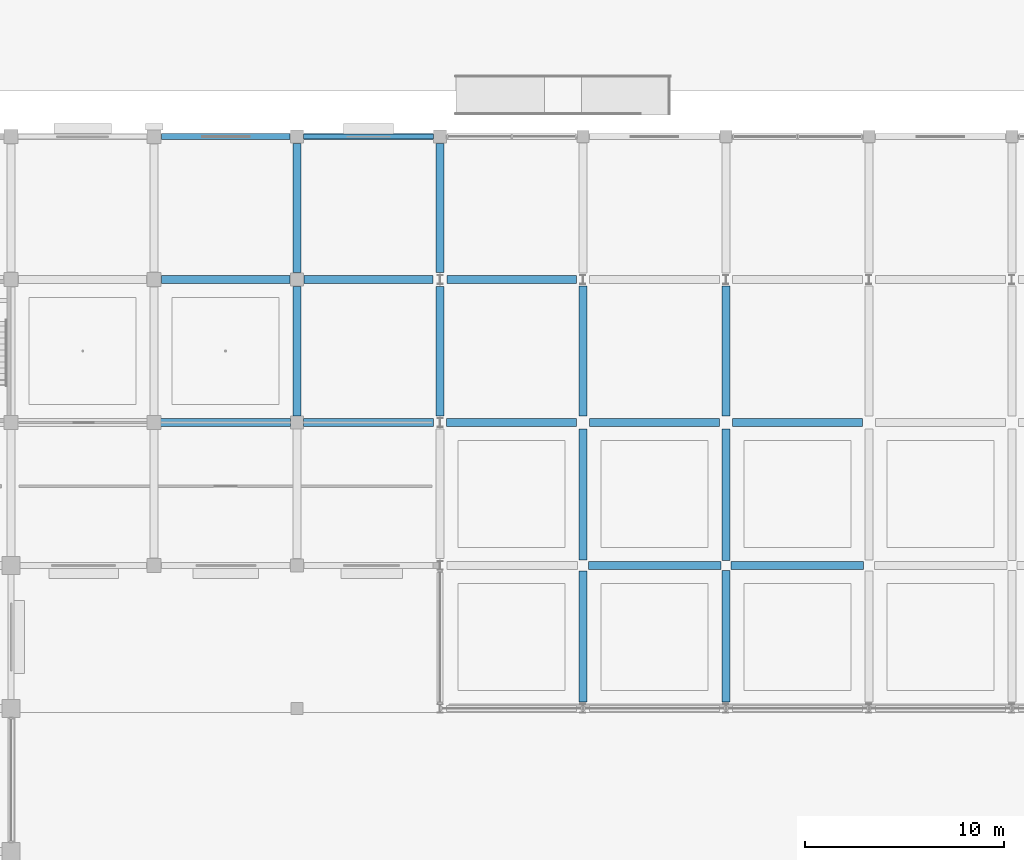
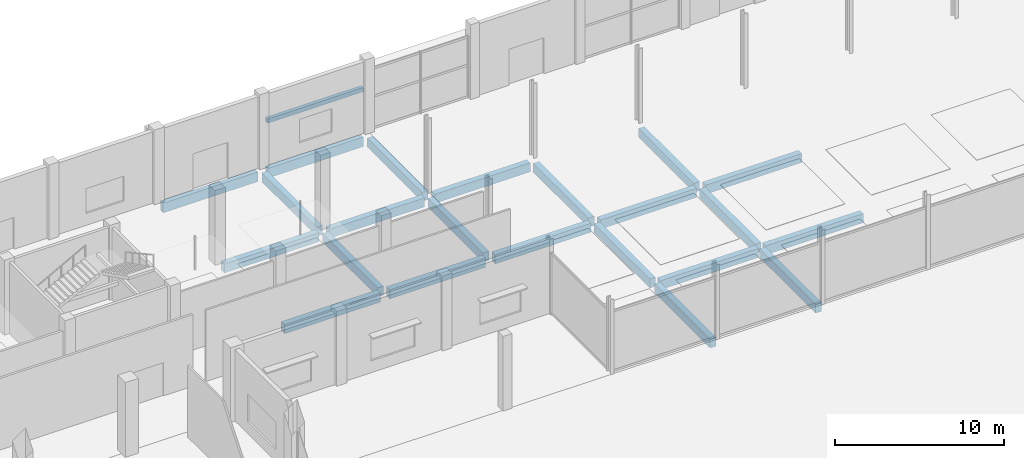
# One storey, part 19 of 90: 23 beams.
"""IFC4 building model written with IfcOpenShell, lengths in metres."""

from ifc_helpers import new_model, si_unit, direction, frame, origin, origin_2d, place, context, subcontext, project, spatial, rectangle, extrude, material, material_profile, profile_set, type_object, element, save


model = new_model("IFC4")

# Units and contexts
model_context = context("Model", 3, precision=1e-05, world=origin(), true_north=direction((0.0, 1.0)))
body_context = subcontext(model_context, "Body", "Model", "MODEL_VIEW")
ifc_project = project(units=[si_unit("LENGTHUNIT", "METRE"), si_unit("AREAUNIT", "SQUARE_METRE"), si_unit("VOLUMEUNIT", "CUBIC_METRE"), si_unit("PLANEANGLEUNIT", "RADIAN"), si_unit("MASSUNIT", "GRAM", prefix="KILO")], contexts=[model_context])

# Site, building, storey
site_placement = place(None, origin())
site = spatial("IfcSite", under=ifc_project, at=site_placement, CompositionType="ELEMENT")
building_placement = place(site_placement, origin())
building = spatial("IfcBuilding", under=site, at=building_placement, Name="Kangsadwip Square Police Headquarters", CompositionType="ELEMENT")
storey_placement = place(building_placement, origin())
storey = spatial("IfcBuildingStorey", under=building, at=storey_placement, Name="L00", CompositionType="ELEMENT", Elevation=0.0)

# Beams
ifc_material_1 = material(Name="Concrete M35 (35 MPa)", Category="concrete")
ifc_material_profile_1 = material_profile(ifc_material_1, rectangle(XDim=0.39990234375, YDim=0.64990234375, at=origin_2d()), Name="RC BM 650X400")
ifc_profile_set_1 = profile_set([ifc_material_profile_1], Name="Concrete M35 (35 MPa)")
beam_type_1 = type_object("IfcBeamType", Name="RcBeam650x400", PredefinedType="BEAM", material=ifc_profile_set_1)
beam_1_placement = place(storey_placement, frame((50.675048828125, 93.60009765625, -0.574951171875), z_axis=(1.0, 0.0, 0.0), x_axis=(0.0, 1.0, 0.0)))
element("IfcBeam", 1, at=beam_1_placement, inside=storey, type_object=beam_type_1, Name="Beam BM-L00-X-07-13", PredefinedType="BEAM", context=body_context, shape_type="SweptSolid", body=[
    extrude(rectangle(XDim=0.39990234375, YDim=0.64990234375, at=origin_2d()), origin(), (0.0, 0.0, 1.0), 6.675048828125),
])
beam_2_placement = place(storey_placement, frame((57.85009765625, 93.60009765625, -0.574951171875), z_axis=(1.0, 0.0, 0.0), x_axis=(0.0, 1.0, 0.0)))
element("IfcBeam", 2, at=beam_2_placement, inside=storey, type_object=beam_type_1, Name="Beam BM-L00-X-08-13", PredefinedType="BEAM", context=body_context, shape_type="SweptSolid", body=[
    extrude(rectangle(XDim=0.39990234375, YDim=0.64990234375, at=origin_2d()), origin(), (0.0, 0.0, 1.0), 6.6748046875),
])
for number, where, z_axis, x_axis, name in (
    (3, (29.125, 100.800048828125, -0.574951171875), (1.0, 0.0, 0.0), (0.0, 1.0, 0.0), "Beam BM-L00-X-04-14"),
    (4, (36.324951171875, 100.800048828125, -0.574951171875), (1.0, 0.0, 0.0), (0.0, 1.0, 0.0), "Beam BM-L00-X-05-14"),
    (5, (43.52490234375, 100.800048828125, -0.574951171875), (1.0, 0.0, 0.0), (0.0, 1.0, 0.0), "Beam BM-L00-X-06-14"),
):
    element("IfcBeam", number, at=place(storey_placement, frame(where, z_axis=z_axis, x_axis=x_axis)), inside=storey, type_object=beam_type_1, Name=name, PredefinedType="BEAM", context=body_context, shape_type="SweptSolid", body=[
        extrude(rectangle(XDim=0.39990234375, YDim=0.64990234375, at=origin_2d()), origin(), (0.0, 0.0, 1.0), 6.550048828125),
    ])
beam_3_placement = place(storey_placement, frame((50.72509765625, 100.800048828125, -0.574951171875), z_axis=(1.0, 0.0, 0.0), x_axis=(0.0, 1.0, 0.0)))
element("IfcBeam", 6, at=beam_3_placement, inside=storey, type_object=beam_type_1, Name="Beam BM-L00-X-07-14", PredefinedType="BEAM", context=body_context, shape_type="SweptSolid", body=[
    extrude(rectangle(XDim=0.39990234375, YDim=0.64990234375, at=origin_2d()), origin(), (0.0, 0.0, 1.0), 6.5498046875),
])
beam_4_placement = place(storey_placement, frame((57.925048828125, 100.800048828125, -0.574951171875), z_axis=(1.0, 0.0, 0.0), x_axis=(0.0, 1.0, 0.0)))
element("IfcBeam", 7, at=beam_4_placement, inside=storey, type_object=beam_type_1, Name="Beam BM-L00-X-08-14", PredefinedType="BEAM", context=body_context, shape_type="SweptSolid", body=[
    extrude(rectangle(XDim=0.39990234375, YDim=0.64990234375, at=origin_2d()), origin(), (0.0, 0.0, 1.0), 6.550048828125),
])
beam_5_placement = place(storey_placement, frame((29.175048828125, 108.0, -0.574951171875), z_axis=(1.0, 0.0, 0.0), x_axis=(0.0, 1.0, 0.0)))
element("IfcBeam", 8, at=beam_5_placement, inside=storey, type_object=beam_type_1, Name="Beam BM-L00-X-04-15", PredefinedType="BEAM", context=body_context, shape_type="SweptSolid", body=[
    extrude(rectangle(XDim=0.39990234375, YDim=0.64990234375, at=origin_2d()), origin(), (0.0, 0.0, 1.0), 6.474853515625),
])
beam_6_placement = place(storey_placement, frame((36.35009765625, 108.0, -0.574951171875), z_axis=(1.0, 0.0, 0.0), x_axis=(0.0, 1.0, 0.0)))
element("IfcBeam", 9, at=beam_6_placement, inside=storey, type_object=beam_type_1, Name="Beam BM-L00-X-05-15", PredefinedType="BEAM", context=body_context, shape_type="SweptSolid", body=[
    extrude(rectangle(XDim=0.39990234375, YDim=0.64990234375, at=origin_2d()), origin(), (0.0, 0.0, 1.0), 6.5),
])
for number, where, z_axis, x_axis, name in (
    (10, (43.550048828125, 108.0, -0.574951171875), (1.0, 0.0, 0.0), (0.0, 1.0, 0.0), "Beam BM-L00-X-06-15"),
    (11, (36.0, 101.125, -0.574951171875), (0.0, 1.0, 0.0), (-1.0, 0.0, 0.0), "Beam BM-L00-Y-05-14"),
):
    element("IfcBeam", number, at=place(storey_placement, frame(where, z_axis=z_axis, x_axis=x_axis)), inside=storey, type_object=beam_type_1, Name=name, PredefinedType="BEAM", context=body_context, shape_type="SweptSolid", body=[
        extrude(rectangle(XDim=0.39990234375, YDim=0.64990234375, at=origin_2d()), origin(), (0.0, 0.0, 1.0), 6.52490234375),
    ])
beam_7_placement = place(storey_placement, frame((36.0, 108.35009765625, -0.574951171875), z_axis=(0.0, 1.0, 0.0), x_axis=(-1.0, 0.0, 0.0)))
element("IfcBeam", 12, at=beam_7_placement, inside=storey, type_object=beam_type_1, Name="Beam BM-L00-Y-05-15", PredefinedType="BEAM", context=body_context, shape_type="SweptSolid", body=[
    extrude(rectangle(XDim=0.39990234375, YDim=0.64990234375, at=origin_2d()), origin(), (0.0, 0.0, 1.0), 6.5),
])
beam_8_placement = place(storey_placement, frame((43.199951171875, 101.125, -0.574951171875), z_axis=(0.0, 1.0, 0.0), x_axis=(-1.0, 0.0, 0.0)))
element("IfcBeam", 13, at=beam_8_placement, inside=storey, type_object=beam_type_1, Name="Beam BM-L00-Y-06-14", PredefinedType="BEAM", context=body_context, shape_type="SweptSolid", body=[
    extrude(rectangle(XDim=0.39990234375, YDim=0.64990234375, at=origin_2d()), origin(), (0.0, 0.0, 1.0), 6.52490234375),
])
beam_9_placement = place(storey_placement, frame((43.199951171875, 108.35009765625, -0.574951171875), z_axis=(0.0, 1.0, 0.0), x_axis=(-1.0, 0.0, 0.0)))
element("IfcBeam", 14, at=beam_9_placement, inside=storey, type_object=beam_type_1, Name="Beam BM-L00-Y-06-15", PredefinedType="BEAM", context=body_context, shape_type="SweptSolid", body=[
    extrude(rectangle(XDim=0.39990234375, YDim=0.64990234375, at=origin_2d()), origin(), (0.0, 0.0, 1.0), 6.5),
])
beam_10_placement = place(storey_placement, frame((50.39990234375, 86.72509765625, -0.574951171875), z_axis=(0.0, 1.0, 0.0), x_axis=(-1.0, 0.0, 0.0)))
element("IfcBeam", 15, at=beam_10_placement, inside=storey, type_object=beam_type_1, Name="Beam BM-L00-Y-07-12", PredefinedType="BEAM", context=body_context, shape_type="SweptSolid", body=[
    extrude(rectangle(XDim=0.39990234375, YDim=0.64990234375, at=origin_2d()), origin(), (0.0, 0.0, 1.0), 6.599853515625),
])
beam_11_placement = place(storey_placement, frame((50.39990234375, 93.875, -0.574951171875), z_axis=(0.0, 1.0, 0.0), x_axis=(-1.0, 0.0, 0.0)))
element("IfcBeam", 16, at=beam_11_placement, inside=storey, type_object=beam_type_1, Name="Beam BM-L00-Y-07-13", PredefinedType="BEAM", context=body_context, shape_type="SweptSolid", body=[
    extrude(rectangle(XDim=0.39990234375, YDim=0.64990234375, at=origin_2d()), origin(), (0.0, 0.0, 1.0), 6.60009765625),
])
beam_12_placement = place(storey_placement, frame((50.39990234375, 101.125, -0.574951171875), z_axis=(0.0, 1.0, 0.0), x_axis=(-1.0, 0.0, 0.0)))
element("IfcBeam", 17, at=beam_12_placement, inside=storey, type_object=beam_type_1, Name="Beam BM-L00-Y-07-14", PredefinedType="BEAM", context=body_context, shape_type="SweptSolid", body=[
    extrude(rectangle(XDim=0.39990234375, YDim=0.64990234375, at=origin_2d()), origin(), (0.0, 0.0, 1.0), 6.550048828125),
])
for number, where, z_axis, x_axis, name in (
    (18, (57.60009765625, 86.72509765625, -0.574951171875), (0.0, 1.0, 0.0), (-1.0, 0.0, 0.0), "Beam BM-L00-Y-08-12"),
    (19, (57.60009765625, 93.85009765625, -0.574951171875), (0.0, 1.0, 0.0), (-1.0, 0.0, 0.0), "Beam BM-L00-Y-08-13"),
):
    element("IfcBeam", number, at=place(storey_placement, frame(where, z_axis=z_axis, x_axis=x_axis)), inside=storey, type_object=beam_type_1, Name=name, PredefinedType="BEAM", context=body_context, shape_type="SweptSolid", body=[
        extrude(rectangle(XDim=0.39990234375, YDim=0.64990234375, at=origin_2d()), origin(), (0.0, 0.0, 1.0), 6.625),
    ])
beam_13_placement = place(storey_placement, frame((57.60009765625, 101.125, -0.574951171875), z_axis=(0.0, 1.0, 0.0), x_axis=(-1.0, 0.0, 0.0)))
element("IfcBeam", 20, at=beam_13_placement, inside=storey, type_object=beam_type_1, Name="Beam BM-L00-Y-08-14", PredefinedType="BEAM", context=body_context, shape_type="SweptSolid", body=[
    extrude(rectangle(XDim=0.39990234375, YDim=0.64990234375, at=origin_2d()), origin(), (0.0, 0.0, 1.0), 6.550048828125),
])
ifc_material_2 = material(Name="Concrete M35 (35 MPa)", Category="concrete")
ifc_material_profile_2 = material_profile(ifc_material_2, rectangle(XDim=0.25, YDim=0.300048828125, at=origin_2d()), Name="RC LNT 300X250")
ifc_profile_set_2 = profile_set([ifc_material_profile_2], Name="Concrete M35 (35 MPa)")
beam_type_2 = type_object("IfcBeamType", Name="RcLintel300x250", PredefinedType="LINTEL", material=ifc_profile_set_2)
beam_14_placement = place(storey_placement, frame((36.324951171875, 115.199951171875, 3.14990234375), z_axis=(1.0, 0.0, 0.0), x_axis=(0.0, 1.0, 0.0)))
element("IfcBeam", 21, at=beam_14_placement, inside=storey, type_object=beam_type_2, Name="Opening Lintel Beam LNT-L00-0371", PredefinedType="LINTEL", context=body_context, shape_type="SweptSolid", body=[
    extrude(rectangle(XDim=0.25, YDim=0.300048828125, at=origin_2d()), origin(), (0.0, 0.0, 1.0), 6.550048828125),
])
ifc_material_3 = material(Name="Concrete M40 (40 MPa)", Category="concrete")
ifc_material_profile_3 = material_profile(ifc_material_3, rectangle(XDim=0.300048828125, YDim=0.699951171875, at=origin_2d()), Name="RC SPN 700X300")
ifc_profile_set_3 = profile_set([ifc_material_profile_3], Name="Concrete M40 (40 MPa)")
beam_type_3 = type_object("IfcBeamType", Name="RcSpandrel700x300", PredefinedType="SPANDREL", material=ifc_profile_set_3)
beam_15_placement = place(storey_placement, frame((29.175048828125, 115.199951171875, -0.60009765625), z_axis=(1.0, 0.0, 0.0), x_axis=(0.0, 1.0, 0.0)))
element("IfcBeam", 22, at=beam_15_placement, inside=storey, type_object=beam_type_3, Name="Beam BM-L00-X-04-16", PredefinedType="SPANDREL", context=body_context, shape_type="SweptSolid", body=[
    extrude(rectangle(XDim=0.300048828125, YDim=0.699951171875, at=origin_2d()), origin(), (0.0, 0.0, 1.0), 6.474853515625),
])
beam_16_placement = place(storey_placement, frame((36.35009765625, 115.199951171875, -0.60009765625), z_axis=(1.0, 0.0, 0.0), x_axis=(0.0, 1.0, 0.0)))
element("IfcBeam", 23, at=beam_16_placement, inside=storey, type_object=beam_type_3, Name="Beam BM-L00-X-05-16", PredefinedType="SPANDREL", context=body_context, shape_type="SweptSolid", body=[
    extrude(rectangle(XDim=0.300048828125, YDim=0.699951171875, at=origin_2d()), origin(), (0.0, 0.0, 1.0), 6.5),
])

save(model, "model.ifc")
